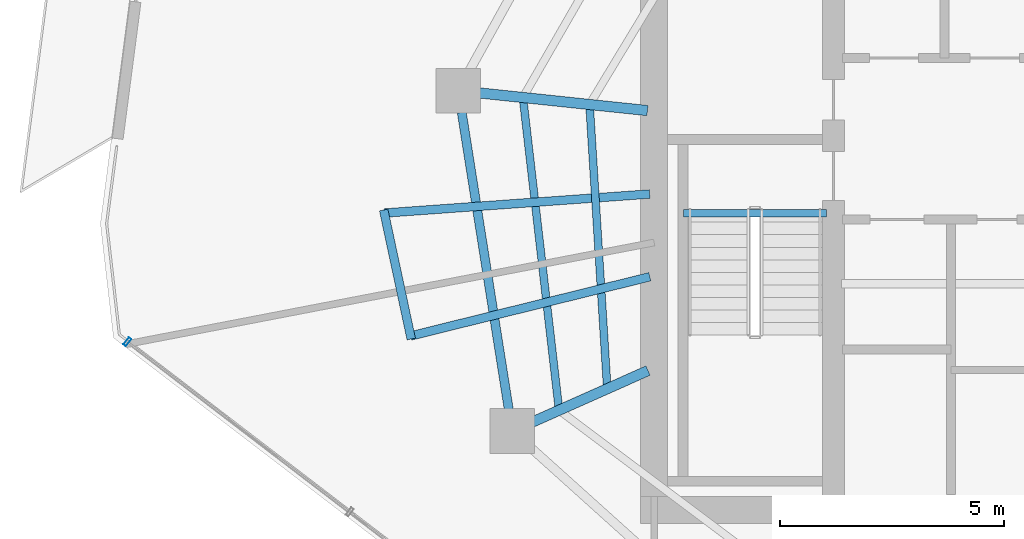
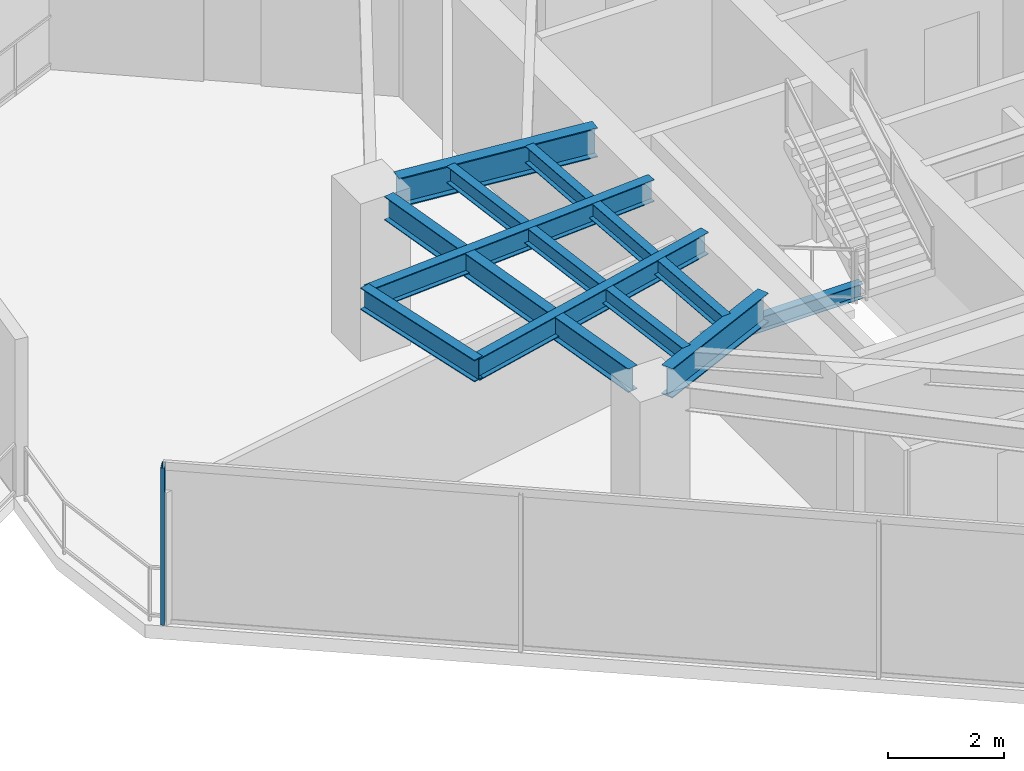
# One storey, part 6 of 20: 9 beams, 1 member, 1 element without a shape of its own.
"""IFC4 building model written with IfcOpenShell, lengths in metres."""

from ifc_helpers import new_model, si_unit, direction, frame, origin, origin_2d, place, context, subcontext, project, spatial, hollow_rectangle, i_section, extrude, material, layer, layer_set, material_profile, profile_set, type_object, element, aggregate, save


model = new_model("IFC4")

# Units and contexts
model_context = context("Model", 3, precision=1e-05, world=origin(), true_north=direction((0.0, 1.0)))
body_context = subcontext(model_context, "Body", "Model", "MODEL_VIEW")
ifc_project = project(units=[si_unit("LENGTHUNIT", "METRE"), si_unit("AREAUNIT", "SQUARE_METRE"), si_unit("VOLUMEUNIT", "CUBIC_METRE"), si_unit("PLANEANGLEUNIT", "RADIAN"), si_unit("MASSUNIT", "GRAM", prefix="KILO")], contexts=[model_context])

# Site, building, storey
site_placement = place(None, origin())
site = spatial("IfcSite", under=ifc_project, at=site_placement, CompositionType="ELEMENT")
building_placement = place(site_placement, origin())
building = spatial("IfcBuilding", under=site, at=building_placement, Name="Qarnah Convention Tower", CompositionType="ELEMENT")
storey_placement = place(building_placement, frame((0.0, 0.0, 150.89990234375)))
storey = spatial("IfcBuildingStorey", under=building, at=storey_placement, Name="L40", CompositionType="ELEMENT", Elevation=150.89990234375)

# Beams
ifc_material_1 = material(Name="Structural steel S355JR", Category="steel")
ifc_material_profile_1 = material_profile(ifc_material_1, i_section(OverallWidth=0.19189453125, OverallDepth=0.464111328125, WebThickness=0.010986328125, FlangeThickness=0.01806640625, at=origin_2d()), Name="W460X89")
ifc_profile_set_1 = profile_set([ifc_material_profile_1], Name="Structural steel S355JR")
beam_type_1 = type_object("IfcBeamType", Name="BM-CANT-W460A", PredefinedType="BEAM", material=ifc_profile_set_1)
beam_1_placement = place(storey_placement, frame((26.699951171875, 25.64794921875, 3.088134765625), z_axis=(-0.997431478283, -0.071627132639, 0.0), x_axis=(0.071627132639, -0.997431478283, 0.0)))
element("IfcBeam", 1, at=beam_1_placement, inside=storey, type_object=beam_type_1, Name="L40 beam BM-L40-CNT-02-1", PredefinedType="BEAM", context=body_context, shape_type="SweptSolid", body=[
    extrude(i_section(OverallWidth=0.19189453125, OverallDepth=0.464111328125, WebThickness=0.010986328125, FlangeThickness=0.01806640625, at=origin_2d()), origin(), (0.0, 0.0, 1.0), 5.93408203125),
])
beam_2_placement = place(storey_placement, frame((26.702880859375, 23.802001953125, 3.088134765625), z_axis=(-0.970704086067, -0.240278124872, 0.0), x_axis=(0.240278124872, -0.970704086067, 0.0)))
element("IfcBeam", 2, at=beam_2_placement, inside=storey, type_object=beam_type_1, Name="L40 beam BM-L40-CNT-02-2", PredefinedType="BEAM", context=body_context, shape_type="SweptSolid", body=[
    extrude(i_section(OverallWidth=0.19189453125, OverallDepth=0.464111328125, WebThickness=0.010986328125, FlangeThickness=0.01806640625, at=origin_2d()), origin(), (0.0, 0.0, 1.0), 5.498046875),
])
beam_3_placement = place(storey_placement, frame((20.76611328125, 25.291015625, 3.088134765625), z_axis=(0.208973836363, -0.977921231857, 0.0), x_axis=(0.977921231857, 0.208973836363, 0.0)))
element("IfcBeam", 3, at=beam_3_placement, inside=storey, type_object=beam_type_1, Name="L40 spandrel BM-L40-CTIE-02", PredefinedType="SPANDREL", context=body_context, shape_type="SweptSolid", body=[
    extrude(i_section(OverallWidth=0.19189453125, OverallDepth=0.464111328125, WebThickness=0.010986328125, FlangeThickness=0.01806640625, at=origin_2d()), origin(), (0.0, 0.0, 1.0), 2.94287109375),
])
ifc_material_profile_2 = material_profile(ifc_material_1, i_section(OverallWidth=0.166015625, OverallDepth=0.31201171875, WebThickness=0.007080078125, FlangeThickness=0.010986328125, at=origin_2d()), Name="W310X45")
ifc_profile_set_2 = profile_set([ifc_material_profile_2], Name="Structural steel S355JR")
beam_type_2 = type_object("IfcBeamType", Name="BM-JST-W310", PredefinedType="JOIST", material=ifc_profile_set_2)
beam_4_placement = place(storey_placement, frame((27.4599609375, 25.217041015625, -0.156005859375), z_axis=(1.0, 0.0, 0.0), x_axis=(0.0, 1.0, 0.0)))
element("IfcBeam", 4, at=beam_4_placement, inside=storey, type_object=beam_type_2, Name="L40 stair landing trimmer beam BM-L40-ST1-TRM", PredefinedType="BEAM", context=body_context, shape_type="SweptSolid", body=[
    extrude(i_section(OverallWidth=0.166015625, OverallDepth=0.31201171875, WebThickness=0.007080078125, FlangeThickness=0.010986328125, at=origin_2d()), origin(), (0.0, 0.0, 1.0), 3.179931640625),
])
ifc_material_profile_3 = material_profile(ifc_material_1, i_section(OverallWidth=0.172119140625, OverallDepth=0.35595703125, WebThickness=0.007080078125, FlangeThickness=0.011962890625, at=origin_2d()), Name="W360X51")
ifc_profile_set_3 = profile_set([ifc_material_profile_3], Name="Structural steel S355JR")
beam_type_3 = type_object("IfcBeamType", Name="BM-JST-W360", PredefinedType="JOIST", material=ifc_profile_set_3)
beam_5_placement = place(storey_placement, frame((23.883056640625, 27.7119140625, 3.14208984375), z_axis=(0.114843478179, -0.993383599381, 0.0), x_axis=(0.993383599381, 0.114843478179, 0.0)))
element("IfcBeam", 5, at=beam_5_placement, inside=storey, type_object=beam_type_3, Name="L40 joist BM-L40-SJST-05", PredefinedType="JOIST", context=body_context, shape_type="SweptSolid", body=[
    extrude(i_section(OverallWidth=0.172119140625, OverallDepth=0.35595703125, WebThickness=0.007080078125, FlangeThickness=0.011962890625, at=origin_2d()), origin(), (0.0, 0.0, 1.0), 6.843017578125),
])
beam_6_placement = place(storey_placement, frame((25.364013671875, 27.553955078125, 3.14208984375), z_axis=(0.062390601432, -0.998051808702, 0.0), x_axis=(0.998051808702, 0.062390601432, 0.0)))
element("IfcBeam", 6, at=beam_6_placement, inside=storey, type_object=beam_type_3, Name="L40 joist BM-L40-IJST-05", PredefinedType="JOIST", context=body_context, shape_type="SweptSolid", body=[
    extrude(i_section(OverallWidth=0.172119140625, OverallDepth=0.35595703125, WebThickness=0.007080078125, FlangeThickness=0.011962890625, at=origin_2d()), origin(), (0.0, 0.0, 1.0), 6.1708984375),
])
ifc_material_profile_4 = material_profile(ifc_material_1, i_section(OverallWidth=0.22998046875, OverallDepth=0.617919921875, WebThickness=0.012939453125, FlangeThickness=0.02197265625, at=origin_2d()), Name="W610X140")
ifc_profile_set_4 = profile_set([ifc_material_profile_4], Name="Structural steel S355JR")
beam_type_4 = type_object("IfcBeamType", Name="BM-RAD-W610A", PredefinedType="BEAM", material=ifc_profile_set_4)
beam_7_placement = place(storey_placement, frame((26.65087890625, 27.509033203125, 3.010986328125), z_axis=(-0.994531015982, 0.104441649973, 0.0), x_axis=(-0.104441649973, -0.994531015982, 0.0)))
element("IfcBeam", 7, at=beam_7_placement, inside=storey, type_object=beam_type_4, Name="L40 beam BM-L40-RAD-05", PredefinedType="BEAM", context=body_context, shape_type="SweptSolid", body=[
    extrude(i_section(OverallWidth=0.22998046875, OverallDepth=0.617919921875, WebThickness=0.012939453125, FlangeThickness=0.02197265625, at=origin_2d()), origin(), (0.0, 0.0, 1.0), 3.763427734375),
])
beam_8_placement = place(storey_placement, frame((26.6630859375, 21.708984375, 3.010986328125), z_axis=(-0.913488265638, -0.406865074123, 0.0), x_axis=(0.406865074123, -0.913488265638, 0.0)))
element("IfcBeam", 8, at=beam_8_placement, inside=storey, type_object=beam_type_4, Name="L40 beam BM-L40-RAD-06", PredefinedType="BEAM", context=body_context, shape_type="SweptSolid", body=[
    extrude(i_section(OverallWidth=0.22998046875, OverallDepth=0.617919921875, WebThickness=0.012939453125, FlangeThickness=0.02197265625, at=origin_2d()), origin(), (0.0, 0.0, 1.0), 2.83642578125),
])
ifc_material_profile_5 = material_profile(ifc_material_1, i_section(OverallWidth=0.199951171875, OverallDepth=0.5, WebThickness=0.010009765625, FlangeThickness=0.01611328125, at=origin_2d()), Name="IPE500")
ifc_profile_set_5 = profile_set([ifc_material_profile_5], Name="Structural steel S355JR")
beam_type_5 = type_object("IfcBeamType", Name="BM-SPN-IPE500", PredefinedType="SPANDREL", material=ifc_profile_set_5)
beam_9_placement = place(storey_placement, frame((22.508056640625, 27.468017578125, 3.070068359375), z_axis=(0.156388773261, -0.987695576379, 0.0), x_axis=(0.987695576379, 0.156388773261, 0.0)))
element("IfcBeam", 9, at=beam_9_placement, inside=storey, type_object=beam_type_5, Name="L40 spandrel BM-L40-SPN-05", PredefinedType="SPANDREL", context=body_context, shape_type="SweptSolid", body=[
    extrude(i_section(OverallWidth=0.199951171875, OverallDepth=0.5, WebThickness=0.010009765625, FlangeThickness=0.01611328125, at=origin_2d()), origin(), (0.0, 0.0, 1.0), 6.70654296875),
])

# Curtain wall, member
ifc_material_2 = material(Name="Tempered Low-E dark glass", Category="glass")
ifc_layer = layer(ifc_material_2, 0.172119140625)
ifc_layer_set = layer_set([ifc_layer], Name="Tempered Low-E dark glass")
curtain_wall_type = type_object("IfcCurtainWallType", Name="CWS-03", PredefinedType="NOTDEFINED", material=ifc_layer_set)
curtain_wall_placement = place(storey_placement, origin())
curtain_wall = element("IfcCurtainWall", 10, at=curtain_wall_placement, inside=storey, type_object=curtain_wall_type, Name="L40 unitised curtain wall CW-L40-F3", PredefinedType="NOTDEFINED")
ifc_material_3 = material(Name="Black anodised aluminium", Category="aluminium")
ifc_material_profile_6 = material_profile(ifc_material_3, hollow_rectangle(XDim=0.070068359375, YDim=0.199951171875, WallThickness=0.0048828125, at=origin_2d()), Name="MUL-70X200")
ifc_profile_set_6 = profile_set([ifc_material_profile_6], Name="Black anodised aluminium")
member_type = type_object("IfcMemberType", Name="MUL-T3", PredefinedType="MULLION", material=ifc_profile_set_6)
member_placement = place(storey_placement, frame((15.049072265625, 22.35205078125, 0.0), z_axis=(0.0, 0.0, 1.0), x_axis=(-0.793992266072, 0.607927858728, 0.0)))
member = element("IfcMember", 11, at=member_placement, type_object=member_type, Name="CW-L40-F3 mullion 6", PredefinedType="MULLION", context=body_context, shape_type="SweptSolid", body=[
    extrude(hollow_rectangle(XDim=0.070068359375, YDim=0.199951171875, WallThickness=0.0048828125, at=origin_2d()), origin(), (0.0, 0.0, 1.0), 3.320068359375),
])
aggregate(curtain_wall, [member])

save(model, "model.ifc")
